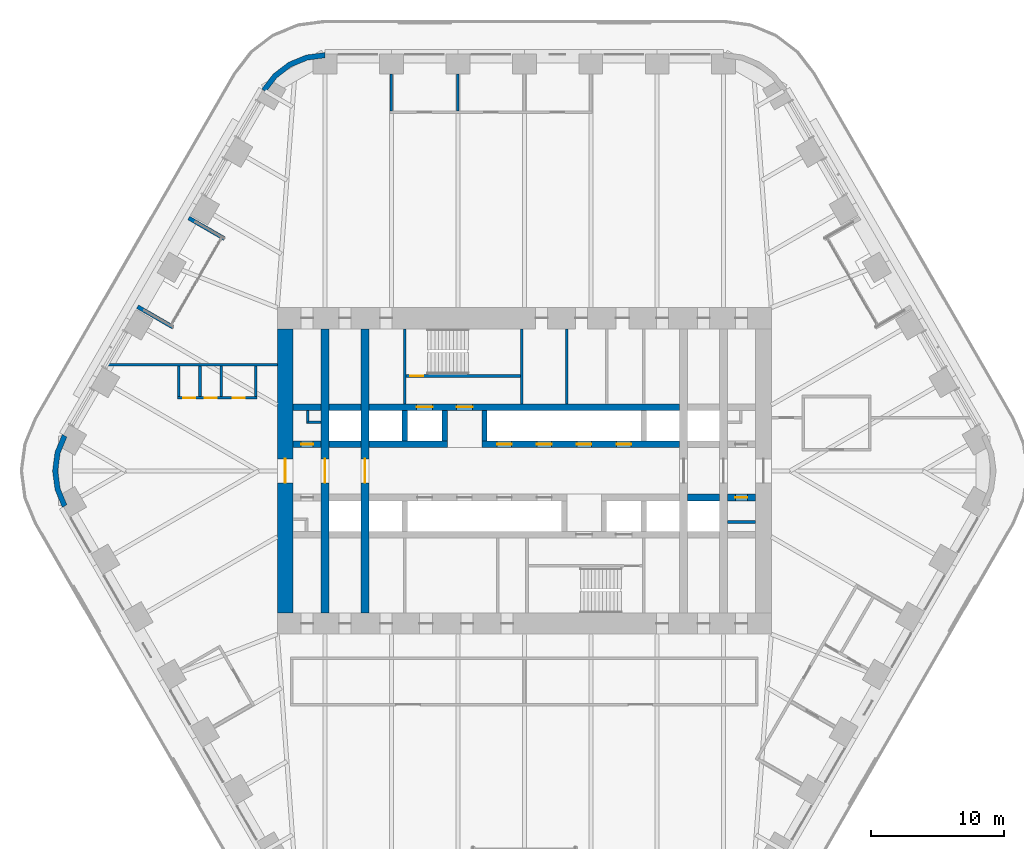
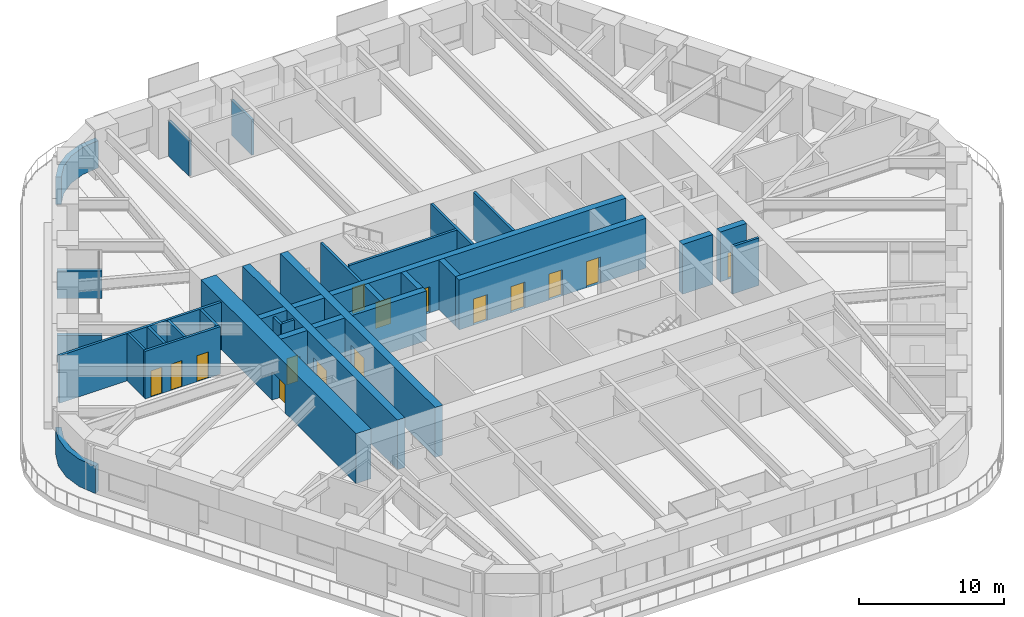
# One storey, part 19 of 24: 34 walls, 15 doors, 15 openings.
"""IFC4 building model written with IfcOpenShell, lengths in metres."""

from ifc_helpers import new_model, si_unit, direction, frame, frame_2d, origin, place, context, subcontext, project, spatial, polyline, rectangle, outline, extrude, material, layer, layer_set, type_object, element, fill, save


model = new_model("IFC4")

# Units and contexts
model_context = context("Model", 3, precision=1e-05, world=origin(), true_north=direction((0.0, 1.0)))
body_context = subcontext(model_context, "Body", "Model", "MODEL_VIEW")
ifc_project = project(units=[si_unit("LENGTHUNIT", "METRE"), si_unit("AREAUNIT", "SQUARE_METRE"), si_unit("VOLUMEUNIT", "CUBIC_METRE"), si_unit("PLANEANGLEUNIT", "RADIAN"), si_unit("MASSUNIT", "GRAM", prefix="KILO")], contexts=[model_context])

# Site, building, storey
site_placement = place(None, origin())
site = spatial("IfcSite", under=ifc_project, at=site_placement, CompositionType="ELEMENT")
building_placement = place(site_placement, origin())
building = spatial("IfcBuilding", under=site, at=building_placement, Name="Tarfa Lantern Tower", CompositionType="ELEMENT")
storey_placement = place(building_placement, frame((0.0, 0.0, 127.89990234375)))
storey = spatial("IfcBuildingStorey", under=building, at=storey_placement, Name="L28", CompositionType="ELEMENT", Elevation=127.89990234375)

# Walls
ifc_material_1 = material(Name="Limestone cladding on blockwork", Category="masonry")
ifc_layer_1 = layer(ifc_material_1, 0.300048828125)
ifc_layer_set_1 = layer_set([ifc_layer_1], Name="EW1 STONE-CLAD WALL 300")
wall_type_1 = type_object("IfcWallType", Name="EW1 STONE-CLAD WALL 300", PredefinedType="SOLIDWALL", material=ifc_layer_set_1)
wall_1_placement = place(storey_placement, frame((-25.266357421875, 19.037353515625, 0.0), z_axis=(0.0, 0.0, 1.0), x_axis=(0.86600983753, -0.500026960575, 0.0)))
element("IfcWall", 1, at=wall_1_placement, inside=storey, type_object=wall_type_1, Name="Loggia return NW 1", PredefinedType="SOLIDWALL", context=body_context, shape_type="SweptSolid", body=[
    extrude(rectangle(XDim=3.099853515625, YDim=0.300048828125, at=frame_2d((1.5498046875, 0.0))), origin(), (0.0, 0.0, 1.0), 2.300048828125),
])
wall_2_placement = place(storey_placement, frame((-29.1201171875, 12.362548828125, 0.0), z_axis=(0.0, 0.0, 1.0), x_axis=(0.86602952684, -0.49999285859, 0.0)))
element("IfcWall", 2, at=wall_2_placement, inside=storey, type_object=wall_type_1, Name="Loggia return NW 2", PredefinedType="SOLIDWALL", context=body_context, shape_type="SweptSolid", body=[
    extrude(rectangle(XDim=3.10009765625, YDim=0.300048828125, at=frame_2d((1.550048828125, 0.0))), origin(), (0.0, 0.0, 1.0), 2.300048828125),
])
ifc_layer_2 = layer(ifc_material_1, 0.39990234375)
ifc_layer_set_2 = layer_set([ifc_layer_2], Name="EW2 CURVED STONE CORNER 400")
wall_type_2 = type_object("IfcWallType", Name="EW2 CURVED STONE CORNER 400", PredefinedType="SOLIDWALL", material=ifc_layer_set_2)
wall_3_placement = place(storey_placement, origin())
element("IfcWall", 3, at=wall_3_placement, inside=storey, type_object=wall_type_2, Name="Stone corner N-NW", PredefinedType="SOLIDWALL", context=body_context, shape_type="SweptSolid", body=[
    extrude(outline(polyline([(-15.010986328125, 31.5), (-16.4345703125, 31.3125), (-17.760986328125, 30.76318359375), (-18.900146484375, 29.88916015625), (-19.774169921875, 28.75), (-19.427734375, 28.550048828125), (-18.617431640625, 29.606201171875), (-17.56103515625, 30.416748046875), (-16.3310546875, 30.92626953125), (-15.010986328125, 31.10009765625), (-15.010986328125, 31.5)])), origin(), (0.0, 0.0, 1.0), 2.300048828125),
])
wall_4_placement = place(storey_placement, origin())
element("IfcWall", 4, at=wall_4_placement, inside=storey, type_object=wall_type_2, Name="Stone corner NW-SW", PredefinedType="SOLIDWALL", context=body_context, shape_type="SweptSolid", body=[
    extrude(outline(polyline([(-34.785400390625, 2.75), (-35.334716796875, 1.423583984375), (-35.522216796875, 0.0), (-35.334716796875, -1.423583984375), (-34.785400390625, -2.75), (-34.43896484375, -2.550048828125), (-34.948486328125, -1.320068359375), (-35.122314453125, 0.0), (-34.948486328125, 1.320068359375), (-34.43896484375, 2.550048828125), (-34.785400390625, 2.75)])), origin(), (0.0, 0.0, 1.0), 2.300048828125),
])
ifc_material_2 = material(Name="Concrete blockwork", Category="masonry")
ifc_layer_3 = layer(ifc_material_2, 0.199951171875)
ifc_layer_set_3 = layer_set([ifc_layer_3], Name="IW1 BLOCKWORK PARTITION 200 EI 120")
wall_type_3 = type_object("IfcWallType", Name="IW1 BLOCKWORK PARTITION 200 EI 120", PredefinedType="PARTITIONING", material=ifc_layer_set_3)
for number, where, z_axis, x_axis, name in (
    (5, (-9.0, 5.050048828125, 0.0), (0.0, 0.0, 1.0), (0.0, 1.0, 0.0), "Core partition"),
    (6, (3.199951171875, 5.050048828125, 0.0), (0.0, 0.0, 1.0), (0.0, 1.0, 0.0), "Core partition"),
):
    element("IfcWall", number, at=place(storey_placement, frame(where, z_axis=z_axis, x_axis=x_axis)), inside=storey, type_object=wall_type_3, Name=name, PredefinedType="PARTITIONING", context=body_context, shape_type="SweptSolid", body=[
        extrude(rectangle(XDim=5.64990234375, YDim=0.199951171875, at=frame_2d((2.824951171875, 0.0))), origin(), (0.0, 0.0, 1.0), 4.0),
    ])
for number, where, z_axis, x_axis, name in (
    (7, (-16.300048828125, 3.64990234375, 0.0), (0.0, 0.0, 1.0), (1.0, 0.0, 0.0), "Core partition"),
    (8, (-16.300048828125, 3.550048828125, 0.0), (0.0, 0.0, 1.0), (0.0, 1.0, 0.0), "Core partition"),
):
    element("IfcWall", number, at=place(storey_placement, frame(where, z_axis=z_axis, x_axis=x_axis)), inside=storey, type_object=wall_type_3, Name=name, PredefinedType="PARTITIONING", context=body_context, shape_type="SweptSolid", body=[
        extrude(rectangle(XDim=1.0, YDim=0.199951171875, at=frame_2d((0.5, 0.0))), origin(), (0.0, 0.0, 1.0), 4.0),
    ])
wall_5_placement = place(storey_placement, frame((17.39990234375, -3.85009765625, 0.0), z_axis=(0.0, 0.0, 1.0), x_axis=(-1.0, 0.0, 0.0)))
element("IfcWall", 9, at=wall_5_placement, inside=storey, type_object=wall_type_3, Name="Core partition", PredefinedType="PARTITIONING", context=body_context, shape_type="SweptSolid", body=[
    extrude(rectangle(XDim=2.099853515625, YDim=0.199951171875, at=frame_2d((1.0498046875, 0.0))), origin(), (0.0, 0.0, 1.0), 4.0),
])
ifc_material_3 = material(Name="Gypsum board on steel studs", Category="steel")
ifc_layer_4 = layer(ifc_material_3, 0.2099609375)
ifc_layer_set_4 = layer_set([ifc_layer_4], Name="IW2 ACOUSTIC PARTITION 200")
wall_type_4 = type_object("IfcWallType", Name="IW2 ACOUSTIC PARTITION 200", PredefinedType="PARTITIONING", material=ifc_layer_set_4)
for number, where, z_axis, x_axis, name in (
    (10, (-5.003662109375, 27.10009765625, 0.0), (0.0, 0.0, 1.0), (0.0, 1.0, 0.0), "Partition"),
    (11, (-10.00732421875, 27.10009765625, 0.0), (0.0, 0.0, 1.0), (0.0, 1.0, 0.0), "Partition"),
):
    element("IfcWall", number, at=place(storey_placement, frame(where, z_axis=z_axis, x_axis=x_axis)), inside=storey, type_object=wall_type_4, Name=name, PredefinedType="PARTITIONING", context=body_context, shape_type="SweptSolid", body=[
        extrude(rectangle(XDim=2.7998046875, YDim=0.199951171875, at=frame_2d((1.39990234375, 0.0))), origin(), (0.0, 0.0, 1.0), 2.991943359375),
    ])
wall_6_placement = place(storey_placement, frame((-18.60009765625, 8.0, 0.0), z_axis=(0.0, 0.0, 1.0), x_axis=(-1.0, 0.0, 0.0)))
element("IfcWall", 12, at=wall_6_placement, inside=storey, type_object=wall_type_4, Name="Partition", PredefinedType="PARTITIONING", context=body_context, shape_type="SweptSolid", body=[
    extrude(rectangle(XDim=12.89990234375, YDim=0.199951171875, at=frame_2d((6.449951171875, 0.0))), origin(), (0.0, 0.0, 1.0), 4.0),
])

# Wall, openings, doors
wall_7_placement = place(storey_placement, frame((-20.114990234375, 5.5, 0.0), z_axis=(0.0, 0.0, 1.0), x_axis=(-1.0, 0.0, 0.0)))
wall_7 = element("IfcWall", 13, at=wall_7_placement, inside=storey, type_object=wall_type_4, Name="Partition", PredefinedType="PARTITIONING", context=body_context, shape_type="SweptSolid", body=[
    extrude(rectangle(XDim=6.0, YDim=0.199951171875, at=frame_2d((3.0, 0.0))), origin(), (0.0, 0.0, 1.0), 4.0),
])
opening_1_placement = place(wall_7_placement, frame((0.949951171875, 0.0, 0.0)))
opening_1 = element("IfcOpeningElement", 14, at=opening_1_placement, cuts=wall_7, Name="Opening D44", PredefinedType="OPENING", context=body_context, shape_type="SweptSolid", body=[
    extrude(rectangle(XDim=0.89990234375, YDim=2.199951171875, at=frame_2d((0.449951171875, 1.10009765625))), frame((0.0, 0.10986328125, 0.0), z_axis=(0.0, -1.0, 0.0), x_axis=(1.0, 0.0, 0.0)), (0.0, 0.0, 1.0), 0.219970703125),
])
opening_2_placement = place(wall_7_placement, frame((3.050048828125, 0.0, 0.0)))
opening_2 = element("IfcOpeningElement", 15, at=opening_2_placement, cuts=wall_7, Name="Opening D45", PredefinedType="OPENING", context=body_context, shape_type="SweptSolid", body=[
    extrude(rectangle(XDim=0.89990234375, YDim=2.199951171875, at=frame_2d((0.449951171875, 1.10009765625))), frame((0.0, 0.10986328125, 0.0), z_axis=(0.0, -1.0, 0.0), x_axis=(1.0, 0.0, 0.0)), (0.0, 0.0, 1.0), 0.219970703125),
])
opening_3_placement = place(wall_7_placement, frame((4.64990234375, 0.0, 0.0)))
opening_3 = element("IfcOpeningElement", 16, at=opening_3_placement, cuts=wall_7, Name="Opening D46", PredefinedType="OPENING", context=body_context, shape_type="SweptSolid", body=[
    extrude(rectangle(XDim=0.89990234375, YDim=2.199951171875, at=frame_2d((0.449951171875, 1.10009765625))), frame((0.0, 0.10986328125, 0.0), z_axis=(0.0, -1.0, 0.0), x_axis=(1.0, 0.0, 0.0)), (0.0, 0.0, 1.0), 0.219970703125),
])
ifc_material_4 = material(Name="Timber door", Category="wood")
door_type_1 = type_object("IfcDoorType", Name="DR3 ROOM DOOR 900x2200", OperationType="SINGLE_SWING_LEFT", PredefinedType="DOOR", material=ifc_material_4)
door_1_placement = place(opening_1_placement, frame((0.89990234375, 0.0, 0.0), z_axis=(0.0, 0.0, 1.0), x_axis=(-1.0, 0.0, 0.0)))
door_1 = element("IfcDoor", 17, at=door_1_placement, inside=storey, type_object=door_type_1, Name="Print and copy room door", OperationType="SINGLE_SWING_LEFT", OverallHeight=2.199951171875, OverallWidth=0.89990234375, PredefinedType="DOOR", context=body_context, shape_type="SweptSolid", body=[
    extrude(rectangle(XDim=0.89990234375, YDim=2.199951171875, at=frame_2d((0.449951171875, 1.10009765625))), frame((0.0, 0.02490234375, 0.0), z_axis=(0.0, -1.0, 0.0), x_axis=(1.0, 0.0, 0.0)), (0.0, 0.0, 1.0), 0.050048828125),
])
fill(opening_1, door_1)
door_2_placement = place(opening_2_placement, frame((0.89990234375, 0.0, 0.0), z_axis=(0.0, 0.0, 1.0), x_axis=(-1.0, 0.0, 0.0)))
door_2 = element("IfcDoor", 18, at=door_2_placement, inside=storey, type_object=door_type_1, Name="Phone booth door", OperationType="SINGLE_SWING_RIGHT", OverallHeight=2.199951171875, OverallWidth=0.89990234375, PredefinedType="DOOR", context=body_context, shape_type="SweptSolid", body=[
    extrude(rectangle(XDim=0.89990234375, YDim=2.199951171875, at=frame_2d((0.449951171875, 1.10009765625))), frame((0.0, 0.02490234375, 0.0), z_axis=(0.0, -1.0, 0.0), x_axis=(1.0, 0.0, 0.0)), (0.0, 0.0, 1.0), 0.050048828125),
])
fill(opening_2, door_2)
door_3_placement = place(opening_3_placement, frame((0.89990234375, 0.0, 0.0), z_axis=(0.0, 0.0, 1.0), x_axis=(-1.0, 0.0, 0.0)))
door_3 = element("IfcDoor", 19, at=door_3_placement, inside=storey, type_object=door_type_1, Name="Phone booth door", OperationType="SINGLE_SWING_RIGHT", OverallHeight=2.199951171875, OverallWidth=0.89990234375, PredefinedType="DOOR", context=body_context, shape_type="SweptSolid", body=[
    extrude(rectangle(XDim=0.89990234375, YDim=2.199951171875, at=frame_2d((0.449951171875, 1.10009765625))), frame((0.0, 0.02490234375, 0.0), z_axis=(0.0, -1.0, 0.0), x_axis=(1.0, 0.0, 0.0)), (0.0, 0.0, 1.0), 0.050048828125),
])
fill(opening_3, door_3)

# Walls
for number, where, z_axis, x_axis, name in (
    (20, (-20.215087890625, 7.89990234375, 0.0), (0.0, 0.0, 1.0), (0.0, -1.0, 0.0), "Partition"),
    (21, (-22.81494140625, 7.89990234375, 0.0), (0.0, 0.0, 1.0), (0.0, -1.0, 0.0), "Partition"),
    (22, (-24.4150390625, 7.89990234375, 0.0), (0.0, 0.0, 1.0), (0.0, -1.0, 0.0), "Partition"),
    (23, (-26.01513671875, 7.89990234375, 0.0), (0.0, 0.0, 1.0), (0.0, -1.0, 0.0), "Partition"),
):
    element("IfcWall", number, at=place(storey_placement, frame(where, z_axis=z_axis, x_axis=x_axis)), inside=storey, type_object=wall_type_4, Name=name, PredefinedType="PARTITIONING", context=body_context, shape_type="SweptSolid", body=[
        extrude(rectangle(XDim=2.2998046875, YDim=0.199951171875, at=frame_2d((1.14990234375, 0.0))), origin(), (0.0, 0.0, 1.0), 4.0),
    ])

# Wall, opening, door
ifc_material_5 = material(Name="Concrete C80/95", Category="concrete")
ifc_layer_5 = layer(ifc_material_5, 1.199951171875)
ifc_layer_set_5 = layer_set([ifc_layer_5], Name="SW1 CORE WALL 1200")
wall_type_5 = type_object("IfcWallType", Name="SW1 CORE WALL 1200", PredefinedType="SHEAR", material=ifc_layer_set_5)
wall_8_placement = place(storey_placement, frame((-18.0, 10.699951171875, 0.0), z_axis=(0.0, 0.0, 1.0), x_axis=(0.0, -1.0, 0.0)))
wall_8 = element("IfcWall", 24, at=wall_8_placement, inside=storey, type_object=wall_type_5, Name="Core wall W", PredefinedType="SHEAR", context=body_context, shape_type="SweptSolid", body=[
    extrude(rectangle(XDim=21.39990234375, YDim=1.199951171875, at=frame_2d((10.699951171875, 0.0))), origin(), (0.0, 0.0, 1.0), 4.2001953125),
])
opening_4_placement = place(wall_8_placement, frame((9.800048828125, 0.0, 0.0)))
opening_4 = element("IfcOpeningElement", 25, at=opening_4_placement, cuts=wall_8, Name="Opening D16", PredefinedType="OPENING", context=body_context, shape_type="SweptSolid", body=[
    extrude(rectangle(XDim=1.800048828125, YDim=2.39990234375, at=frame_2d((0.89990234375, 1.199951171875))), frame((0.0, 0.60986328125, 0.0), z_axis=(0.0, -1.0, 0.0), x_axis=(1.0, 0.0, 0.0)), (0.0, 0.0, 1.0), 1.219970703125),
])
ifc_material_6 = material(Name="Steel fire door", Category="steel")
door_type_2 = type_object("IfcDoorType", Name="DL1 LOBBY DOOR 1800x2400", OperationType="DOUBLE_DOOR_SINGLE_SWING", PredefinedType="DOOR", material=ifc_material_6)
door_4_placement = place(opening_4_placement, frame((1.800048828125, 0.0, 0.0), z_axis=(0.0, 0.0, 1.0), x_axis=(-1.0, 0.0, 0.0)))
door_4 = element("IfcDoor", 26, at=door_4_placement, inside=storey, type_object=door_type_2, Name="Lift lobby door", OperationType="DOUBLE_DOOR_SINGLE_SWING", OverallHeight=2.39990234375, OverallWidth=1.800048828125, PredefinedType="DOOR", context=body_context, shape_type="SweptSolid", body=[
    extrude(rectangle(XDim=1.800048828125, YDim=2.39990234375, at=frame_2d((0.89990234375, 1.199951171875))), frame((0.0, 0.02490234375, 0.0), z_axis=(0.0, -1.0, 0.0), x_axis=(1.0, 0.0, 0.0)), (0.0, 0.0, 1.0), 0.050048828125),
])
fill(opening_4, door_4)

# Wall
ifc_layer_6 = layer(ifc_material_5, 0.199951171875)
ifc_layer_set_6 = layer_set([ifc_layer_6], Name="SW12 CORE WALL 200")
wall_type_6 = type_object("IfcWallType", Name="SW12 CORE WALL 200", PredefinedType="SHEAR", material=ifc_layer_set_6)
wall_9_placement = place(storey_placement, frame((-0.199951171875, 5.050048828125, 0.0), z_axis=(0.0, 0.0, 1.0), x_axis=(0.0, 1.0, 0.0)))
element("IfcWall", 27, at=wall_9_placement, inside=storey, type_object=wall_type_6, Name="Core wall stair shaft N", PredefinedType="SHEAR", context=body_context, shape_type="SweptSolid", body=[
    extrude(rectangle(XDim=5.64990234375, YDim=0.199951171875, at=frame_2d((2.824951171875, 0.0))), origin(), (0.0, 0.0, 1.0), 4.2001953125),
])

# Wall, opening, door
wall_10_placement = place(storey_placement, frame((-8.89990234375, 7.14990234375, 0.0), z_axis=(0.0, 0.0, 1.0), x_axis=(1.0, 0.0, 0.0)))
wall_10 = element("IfcWall", 28, at=wall_10_placement, inside=storey, type_object=wall_type_6, Name="Core wall stair partition N", PredefinedType="SHEAR", context=body_context, shape_type="SweptSolid", body=[
    extrude(rectangle(XDim=8.599853515625, YDim=0.199951171875, at=frame_2d((4.2998046875, 0.0))), origin(), (0.0, 0.0, 1.0), 4.2001953125),
])
opening_5_placement = place(wall_10_placement, frame((0.300048828125, 0.0, 0.0)))
opening_5 = element("IfcOpeningElement", 29, at=opening_5_placement, cuts=wall_10, Name="Opening D27", PredefinedType="OPENING", context=body_context, shape_type="SweptSolid", body=[
    extrude(rectangle(XDim=1.0, YDim=2.199951171875, at=frame_2d((0.5, 1.10009765625))), frame((0.0, 0.10986328125, 0.0), z_axis=(0.0, -1.0, 0.0), x_axis=(1.0, 0.0, 0.0)), (0.0, 0.0, 1.0), 0.219970703125),
])
door_type_3 = type_object("IfcDoorType", Name="DF2 STAIR DOOR 1000x2200", OperationType="SINGLE_SWING_LEFT", PredefinedType="DOOR", material=ifc_material_6)
door_5_placement = place(opening_5_placement, origin())
door_5 = element("IfcDoor", 30, at=door_5_placement, inside=storey, type_object=door_type_3, Name="Stair door", OperationType="SINGLE_SWING_RIGHT", OverallHeight=2.199951171875, OverallWidth=1.0, PredefinedType="DOOR", context=body_context, shape_type="SweptSolid", body=[
    extrude(rectangle(XDim=1.0, YDim=2.199951171875, at=frame_2d((0.5, 1.10009765625))), frame((0.0, 0.02490234375, 0.0), z_axis=(0.0, -1.0, 0.0), x_axis=(1.0, 0.0, 0.0)), (0.0, 0.0, 1.0), 0.050048828125),
])
fill(opening_5, door_5)

ifc_layer_7 = layer(ifc_material_5, 0.5)
ifc_layer_set_7 = layer_set([ifc_layer_7], Name="SW5 CORE WALL 500")
wall_type_7 = type_object("IfcWallType", Name="SW5 CORE WALL 500", PredefinedType="SHEAR", material=ifc_layer_set_7)
wall_11_placement = place(storey_placement, frame((-17.39990234375, 2.0, 0.0), z_axis=(0.0, 0.0, 1.0), x_axis=(1.0, 0.0, 0.0)))
wall_11 = element("IfcWall", 31, at=wall_11_placement, inside=storey, type_object=wall_type_7, Name="Core wall lobby west N", PredefinedType="SHEAR", context=body_context, shape_type="SweptSolid", body=[
    extrude(rectangle(XDim=2.099853515625, YDim=0.5, at=frame_2d((1.0498046875, 0.0))), origin(), (0.0, 0.0, 1.0), 4.2001953125),
])
opening_6_placement = place(wall_11_placement, frame((0.60009765625, 0.0, 0.0)))
opening_6 = element("IfcOpeningElement", 32, at=opening_6_placement, cuts=wall_11, Name="Opening D19", PredefinedType="OPENING", context=body_context, shape_type="SweptSolid", body=[
    extrude(rectangle(XDim=0.89990234375, YDim=2.199951171875, at=frame_2d((0.449951171875, 1.10009765625))), frame((0.0, 0.260009765625, 0.0), z_axis=(0.0, -1.0, 0.0), x_axis=(1.0, 0.0, 0.0)), (0.0, 0.0, 1.0), 0.52001953125),
])
door_type_4 = type_object("IfcDoorType", Name="DF6 SERVICE ROOM DOOR 900x2200", OperationType="SINGLE_SWING_LEFT", PredefinedType="DOOR", material=ifc_material_6)
door_6_placement = place(opening_6_placement, origin())
door_6 = element("IfcDoor", 33, at=door_6_placement, inside=storey, type_object=door_type_4, Name="Service room door", OperationType="SINGLE_SWING_LEFT", OverallHeight=2.199951171875, OverallWidth=0.89990234375, PredefinedType="DOOR", context=body_context, shape_type="SweptSolid", body=[
    extrude(rectangle(XDim=0.89990234375, YDim=2.199951171875, at=frame_2d((0.449951171875, 1.10009765625))), frame((0.0, 0.02490234375, 0.0), z_axis=(0.0, -1.0, 0.0), x_axis=(1.0, 0.0, 0.0)), (0.0, 0.0, 1.0), 0.050048828125),
])
fill(opening_6, door_6)

# Walls
wall_12_placement = place(storey_placement, frame((-14.699951171875, 2.0, 0.0), z_axis=(0.0, 0.0, 1.0), x_axis=(1.0, 0.0, 0.0)))
element("IfcWall", 34, at=wall_12_placement, inside=storey, type_object=wall_type_7, Name="Core wall lobby west N", PredefinedType="SHEAR", context=body_context, shape_type="SweptSolid", body=[
    extrude(rectangle(XDim=2.39990234375, YDim=0.5, at=frame_2d((1.199951171875, 0.0))), origin(), (0.0, 0.0, 1.0), 4.2001953125),
])
wall_13_placement = place(storey_placement, frame((-11.699951171875, 2.0, 0.0), z_axis=(0.0, 0.0, 1.0), x_axis=(1.0, 0.0, 0.0)))
element("IfcWall", 35, at=wall_13_placement, inside=storey, type_object=wall_type_7, Name="Core wall lobby west N", PredefinedType="SHEAR", context=body_context, shape_type="SweptSolid", body=[
    extrude(rectangle(XDim=5.89990234375, YDim=0.5, at=frame_2d((2.949951171875, 0.0))), origin(), (0.0, 0.0, 1.0), 4.2001953125),
])

# Wall, openings, doors
wall_14_placement = place(storey_placement, frame((-3.199951171875, 2.0, 0.0), z_axis=(0.0, 0.0, 1.0), x_axis=(1.0, 0.0, 0.0)))
wall_14 = element("IfcWall", 36, at=wall_14_placement, inside=storey, type_object=wall_type_7, Name="Core wall lobby east N", PredefinedType="SHEAR", context=body_context, shape_type="SweptSolid", body=[
    extrude(rectangle(XDim=14.89990234375, YDim=0.5, at=frame_2d((7.449951171875, 0.0))), origin(), (0.0, 0.0, 1.0), 4.2001953125),
])
opening_7_placement = place(wall_14_placement, frame((1.14990234375, 0.0, 0.0)))
opening_7 = element("IfcOpeningElement", 37, at=opening_7_placement, cuts=wall_14, Name="Opening LD03", PredefinedType="OPENING", context=body_context, shape_type="SweptSolid", body=[
    extrude(rectangle(XDim=1.10009765625, YDim=2.199951171875, at=frame_2d((0.550048828125, 1.10009765625))), frame((0.0, 0.260009765625, 0.0), z_axis=(0.0, -1.0, 0.0), x_axis=(1.0, 0.0, 0.0)), (0.0, 0.0, 1.0), 0.52001953125),
])
opening_8_placement = place(wall_14_placement, frame((4.14990234375, 0.0, 0.0)))
opening_8 = element("IfcOpeningElement", 38, at=opening_8_placement, cuts=wall_14, Name="Opening LD04", PredefinedType="OPENING", context=body_context, shape_type="SweptSolid", body=[
    extrude(rectangle(XDim=1.10009765625, YDim=2.199951171875, at=frame_2d((0.550048828125, 1.10009765625))), frame((0.0, 0.260009765625, 0.0), z_axis=(0.0, -1.0, 0.0), x_axis=(1.0, 0.0, 0.0)), (0.0, 0.0, 1.0), 0.52001953125),
])
opening_9_placement = place(wall_14_placement, frame((7.14990234375, 0.0, 0.0)))
opening_9 = element("IfcOpeningElement", 39, at=opening_9_placement, cuts=wall_14, Name="Opening LD05", PredefinedType="OPENING", context=body_context, shape_type="SweptSolid", body=[
    extrude(rectangle(XDim=1.10009765625, YDim=2.199951171875, at=frame_2d((0.550048828125, 1.10009765625))), frame((0.0, 0.260009765625, 0.0), z_axis=(0.0, -1.0, 0.0), x_axis=(1.0, 0.0, 0.0)), (0.0, 0.0, 1.0), 0.52001953125),
])
opening_10_placement = place(wall_14_placement, frame((10.14990234375, 0.0, 0.0)))
opening_10 = element("IfcOpeningElement", 40, at=opening_10_placement, cuts=wall_14, Name="Opening LD06", PredefinedType="OPENING", context=body_context, shape_type="SweptSolid", body=[
    extrude(rectangle(XDim=1.10009765625, YDim=2.199951171875, at=frame_2d((0.550048828125, 1.10009765625))), frame((0.0, 0.260009765625, 0.0), z_axis=(0.0, -1.0, 0.0), x_axis=(1.0, 0.0, 0.0)), (0.0, 0.0, 1.0), 0.52001953125),
])
ifc_material_7 = material(Name="Stainless steel lift door", Category="steel")
door_type_5 = type_object("IfcDoorType", Name="LD2 LIFT LANDING DOOR 1100x2200", OperationType="SLIDING_TO_LEFT", PredefinedType="DOOR", material=ifc_material_7)
door_7_placement = place(opening_7_placement, frame((1.10009765625, 0.0, 0.0), z_axis=(0.0, 0.0, 1.0), x_axis=(-1.0, 0.0, 0.0)))
door_7 = element("IfcDoor", 41, at=door_7_placement, inside=storey, type_object=door_type_5, Name="Landing door PB1", OperationType="SLIDING_TO_LEFT", OverallHeight=2.199951171875, OverallWidth=1.10009765625, PredefinedType="DOOR", context=body_context, shape_type="SweptSolid", body=[
    extrude(rectangle(XDim=1.10009765625, YDim=2.199951171875, at=frame_2d((0.550048828125, 1.10009765625))), frame((0.0, 0.02490234375, 0.0), z_axis=(0.0, -1.0, 0.0), x_axis=(1.0, 0.0, 0.0)), (0.0, 0.0, 1.0), 0.050048828125),
])
fill(opening_7, door_7)
door_8_placement = place(opening_8_placement, frame((1.10009765625, 0.0, 0.0), z_axis=(0.0, 0.0, 1.0), x_axis=(-1.0, 0.0, 0.0)))
door_8 = element("IfcDoor", 42, at=door_8_placement, inside=storey, type_object=door_type_5, Name="Landing door PB2", OperationType="SLIDING_TO_LEFT", OverallHeight=2.199951171875, OverallWidth=1.10009765625, PredefinedType="DOOR", context=body_context, shape_type="SweptSolid", body=[
    extrude(rectangle(XDim=1.10009765625, YDim=2.199951171875, at=frame_2d((0.550048828125, 1.10009765625))), frame((0.0, 0.02490234375, 0.0), z_axis=(0.0, -1.0, 0.0), x_axis=(1.0, 0.0, 0.0)), (0.0, 0.0, 1.0), 0.050048828125),
])
fill(opening_8, door_8)
door_9_placement = place(opening_9_placement, frame((1.10009765625, 0.0, 0.0), z_axis=(0.0, 0.0, 1.0), x_axis=(-1.0, 0.0, 0.0)))
door_9 = element("IfcDoor", 43, at=door_9_placement, inside=storey, type_object=door_type_5, Name="Landing door PB3", OperationType="SLIDING_TO_LEFT", OverallHeight=2.199951171875, OverallWidth=1.10009765625, PredefinedType="DOOR", context=body_context, shape_type="SweptSolid", body=[
    extrude(rectangle(XDim=1.10009765625, YDim=2.199951171875, at=frame_2d((0.550048828125, 1.10009765625))), frame((0.0, 0.02490234375, 0.0), z_axis=(0.0, -1.0, 0.0), x_axis=(1.0, 0.0, 0.0)), (0.0, 0.0, 1.0), 0.050048828125),
])
fill(opening_9, door_9)
door_10_placement = place(opening_10_placement, frame((1.10009765625, 0.0, 0.0), z_axis=(0.0, 0.0, 1.0), x_axis=(-1.0, 0.0, 0.0)))
door_10 = element("IfcDoor", 44, at=door_10_placement, inside=storey, type_object=door_type_5, Name="Landing door PB4", OperationType="SLIDING_TO_LEFT", OverallHeight=2.199951171875, OverallWidth=1.10009765625, PredefinedType="DOOR", context=body_context, shape_type="SweptSolid", body=[
    extrude(rectangle(XDim=1.10009765625, YDim=2.199951171875, at=frame_2d((0.550048828125, 1.10009765625))), frame((0.0, 0.02490234375, 0.0), z_axis=(0.0, -1.0, 0.0), x_axis=(1.0, 0.0, 0.0)), (0.0, 0.0, 1.0), 0.050048828125),
])
fill(opening_10, door_10)

# Walls
wall_15_placement = place(storey_placement, frame((-17.39990234375, 4.800048828125, 0.0), z_axis=(0.0, 0.0, 1.0), x_axis=(1.0, 0.0, 0.0)))
element("IfcWall", 45, at=wall_15_placement, inside=storey, type_object=wall_type_7, Name="Core wall rear N", PredefinedType="SHEAR", context=body_context, shape_type="SweptSolid", body=[
    extrude(rectangle(XDim=2.099853515625, YDim=0.5, at=frame_2d((1.0498046875, 0.0))), origin(), (0.0, 0.0, 1.0), 4.2001953125),
])
wall_16_placement = place(storey_placement, frame((-14.699951171875, 4.800048828125, 0.0), z_axis=(0.0, 0.0, 1.0), x_axis=(1.0, 0.0, 0.0)))
element("IfcWall", 46, at=wall_16_placement, inside=storey, type_object=wall_type_7, Name="Core wall rear N", PredefinedType="SHEAR", context=body_context, shape_type="SweptSolid", body=[
    extrude(rectangle(XDim=2.39990234375, YDim=0.5, at=frame_2d((1.199951171875, 0.0))), origin(), (0.0, 0.0, 1.0), 4.2001953125),
])

# Wall, openings, doors
wall_17_placement = place(storey_placement, frame((-11.699951171875, 4.800048828125, 0.0), z_axis=(0.0, 0.0, 1.0), x_axis=(1.0, 0.0, 0.0)))
wall_17 = element("IfcWall", 47, at=wall_17_placement, inside=storey, type_object=wall_type_7, Name="Core wall rear N", PredefinedType="SHEAR", context=body_context, shape_type="SweptSolid", body=[
    extrude(rectangle(XDim=23.39990234375, YDim=0.5, at=frame_2d((11.699951171875, 0.0))), origin(), (0.0, 0.0, 1.0), 4.2001953125),
])
opening_11_placement = place(wall_17_placement, frame((6.60009765625, 0.0, 0.0)))
opening_11 = element("IfcOpeningElement", 48, at=opening_11_placement, cuts=wall_17, Name="Opening D13", PredefinedType="OPENING", context=body_context, shape_type="SweptSolid", body=[
    extrude(rectangle(XDim=1.199951171875, YDim=2.199951171875, at=frame_2d((0.60009765625, 1.10009765625))), frame((0.0, 0.260009765625, 0.0), z_axis=(0.0, -1.0, 0.0), x_axis=(1.0, 0.0, 0.0)), (0.0, 0.0, 1.0), 0.52001953125),
])
opening_12_placement = place(wall_17_placement, frame((3.60009765625, 0.0, 0.0)))
opening_12 = element("IfcOpeningElement", 49, at=opening_12_placement, cuts=wall_17, Name="Opening LD01", PredefinedType="OPENING", context=body_context, shape_type="SweptSolid", body=[
    extrude(rectangle(XDim=1.199951171875, YDim=2.199951171875, at=frame_2d((0.60009765625, 1.10009765625))), frame((0.0, 0.260009765625, 0.0), z_axis=(0.0, -1.0, 0.0), x_axis=(1.0, 0.0, 0.0)), (0.0, 0.0, 1.0), 0.52001953125),
])
door_type_6 = type_object("IfcDoorType", Name="DF1 FIREFIGHTING LOBBY DOOR 1200x2200", OperationType="SINGLE_SWING_LEFT", PredefinedType="DOOR", material=ifc_material_6)
door_11_placement = place(opening_11_placement, origin())
door_11 = element("IfcDoor", 50, at=door_11_placement, inside=storey, type_object=door_type_6, Name="Firefighting lobby door", OperationType="SINGLE_SWING_LEFT", OverallHeight=2.199951171875, OverallWidth=1.199951171875, PredefinedType="DOOR", context=body_context, shape_type="SweptSolid", body=[
    extrude(rectangle(XDim=1.199951171875, YDim=2.199951171875, at=frame_2d((0.60009765625, 1.10009765625))), frame((0.0, 0.02490234375, 0.0), z_axis=(0.0, -1.0, 0.0), x_axis=(1.0, 0.0, 0.0)), (0.0, 0.0, 1.0), 0.050048828125),
])
fill(opening_11, door_11)
door_type_7 = type_object("IfcDoorType", Name="LD1 LIFT LANDING DOOR 1200x2200", OperationType="SLIDING_TO_LEFT", PredefinedType="DOOR", material=ifc_material_7)
door_12_placement = place(opening_12_placement, origin())
door_12 = element("IfcDoor", 51, at=door_12_placement, inside=storey, type_object=door_type_7, Name="Landing door FL1", OperationType="SLIDING_TO_LEFT", OverallHeight=2.199951171875, OverallWidth=1.199951171875, PredefinedType="DOOR", context=body_context, shape_type="SweptSolid", body=[
    extrude(rectangle(XDim=1.199951171875, YDim=2.199951171875, at=frame_2d((0.60009765625, 1.10009765625))), frame((0.0, 0.02490234375, 0.0), z_axis=(0.0, -1.0, 0.0), x_axis=(1.0, 0.0, 0.0)), (0.0, 0.0, 1.0), 0.050048828125),
])
fill(opening_12, door_12)

# Wall, opening, door
wall_18_placement = place(storey_placement, frame((17.39990234375, -2.0, 0.0), z_axis=(0.0, 0.0, 1.0), x_axis=(-1.0, 0.0, 0.0)))
wall_18 = element("IfcWall", 52, at=wall_18_placement, inside=storey, type_object=wall_type_7, Name="Core wall lobby west S", PredefinedType="SHEAR", context=body_context, shape_type="SweptSolid", body=[
    extrude(rectangle(XDim=2.099853515625, YDim=0.5, at=frame_2d((1.0498046875, 0.0))), origin(), (0.0, 0.0, 1.0), 4.2001953125),
])
opening_13_placement = place(wall_18_placement, frame((0.60009765625, 0.0, 0.0)))
opening_13 = element("IfcOpeningElement", 53, at=opening_13_placement, cuts=wall_18, Name="Opening D20", PredefinedType="OPENING", context=body_context, shape_type="SweptSolid", body=[
    extrude(rectangle(XDim=0.89990234375, YDim=2.199951171875, at=frame_2d((0.449951171875, 1.10009765625))), frame((0.0, 0.260009765625, 0.0), z_axis=(0.0, -1.0, 0.0), x_axis=(1.0, 0.0, 0.0)), (0.0, 0.0, 1.0), 0.52001953125),
])
door_13_placement = place(opening_13_placement, origin())
door_13 = element("IfcDoor", 54, at=door_13_placement, inside=storey, type_object=door_type_4, Name="Service room door", OperationType="SINGLE_SWING_LEFT", OverallHeight=2.199951171875, OverallWidth=0.89990234375, PredefinedType="DOOR", context=body_context, shape_type="SweptSolid", body=[
    extrude(rectangle(XDim=0.89990234375, YDim=2.199951171875, at=frame_2d((0.449951171875, 1.10009765625))), frame((0.0, 0.02490234375, 0.0), z_axis=(0.0, -1.0, 0.0), x_axis=(1.0, 0.0, 0.0)), (0.0, 0.0, 1.0), 0.050048828125),
])
fill(opening_13, door_13)

# Walls
wall_19_placement = place(storey_placement, frame((14.699951171875, -2.0, 0.0), z_axis=(0.0, 0.0, 1.0), x_axis=(-1.0, 0.0, 0.0)))
element("IfcWall", 55, at=wall_19_placement, inside=storey, type_object=wall_type_7, Name="Core wall lobby west S", PredefinedType="SHEAR", context=body_context, shape_type="SweptSolid", body=[
    extrude(rectangle(XDim=2.39990234375, YDim=0.5, at=frame_2d((1.199951171875, 0.0))), origin(), (0.0, 0.0, 1.0), 4.2001953125),
])
ifc_layer_8 = layer(ifc_material_5, 0.39990234375)
ifc_layer_set_8 = layer_set([ifc_layer_8], Name="SW6 CORE WALL 400")
wall_type_8 = type_object("IfcWallType", Name="SW6 CORE WALL 400", PredefinedType="SHEAR", material=ifc_layer_set_8)
for number, where, z_axis, x_axis, name in (
    (56, (-9.0, 2.25, 0.0), (0.0, 0.0, 1.0), (0.0, 1.0, 0.0), "Core wall divider N"),
    (57, (-6.0, 2.25, 0.0), (0.0, 0.0, 1.0), (0.0, 1.0, 0.0), "Core wall divider N"),
    (58, (-3.0, 2.25, 0.0), (0.0, 0.0, 1.0), (0.0, 1.0, 0.0), "Core wall divider N"),
):
    element("IfcWall", number, at=place(storey_placement, frame(where, z_axis=z_axis, x_axis=x_axis)), inside=storey, type_object=wall_type_8, Name=name, PredefinedType="SHEAR", context=body_context, shape_type="SweptSolid", body=[
        extrude(rectangle(XDim=2.300048828125, YDim=0.39990234375, at=frame_2d((1.14990234375, 0.0))), origin(), (0.0, 0.0, 1.0), 4.2001953125),
    ])

# Wall, opening, door
ifc_layer_9 = layer(ifc_material_5, 0.60009765625)
ifc_layer_set_9 = layer_set([ifc_layer_9], Name="SW9 CORE WALL 600")
wall_type_9 = type_object("IfcWallType", Name="SW9 CORE WALL 600", PredefinedType="SHEAR", material=ifc_layer_set_9)
wall_20_placement = place(storey_placement, frame((-12.0, -10.699951171875, 0.0), z_axis=(0.0, 0.0, 1.0), x_axis=(0.0, 1.0, 0.0)))
wall_20 = element("IfcWall", 59, at=wall_20_placement, inside=storey, type_object=wall_type_9, Name="Core wall cross 12 m west", PredefinedType="SHEAR", context=body_context, shape_type="SweptSolid", body=[
    extrude(rectangle(XDim=21.39990234375, YDim=0.60009765625, at=frame_2d((10.699951171875, 0.0))), origin(), (0.0, 0.0, 1.0), 4.2001953125),
])
opening_14_placement = place(wall_20_placement, frame((9.800048828125, 0.0, 0.0)))
opening_14 = element("IfcOpeningElement", 60, at=opening_14_placement, cuts=wall_20, Name="Opening D31", PredefinedType="OPENING", context=body_context, shape_type="SweptSolid", body=[
    extrude(rectangle(XDim=1.800048828125, YDim=2.39990234375, at=frame_2d((0.89990234375, 1.199951171875))), frame((0.0, 0.31005859375, 0.0), z_axis=(0.0, -1.0, 0.0), x_axis=(1.0, 0.0, 0.0)), (0.0, 0.0, 1.0), 0.6201171875),
])
door_14_placement = place(opening_14_placement, origin())
door_14 = element("IfcDoor", 61, at=door_14_placement, inside=storey, type_object=door_type_2, Name="Lift lobby door", OperationType="DOUBLE_DOOR_SINGLE_SWING", OverallHeight=2.39990234375, OverallWidth=1.800048828125, PredefinedType="DOOR", context=body_context, shape_type="SweptSolid", body=[
    extrude(rectangle(XDim=1.800048828125, YDim=2.39990234375, at=frame_2d((0.89990234375, 1.199951171875))), frame((0.0, 0.02490234375, 0.0), z_axis=(0.0, -1.0, 0.0), x_axis=(1.0, 0.0, 0.0)), (0.0, 0.0, 1.0), 0.050048828125),
])
fill(opening_14, door_14)

wall_21_placement = place(storey_placement, frame((-15.0, -10.699951171875, 0.0), z_axis=(0.0, 0.0, 1.0), x_axis=(0.0, 1.0, 0.0)))
wall_21 = element("IfcWall", 62, at=wall_21_placement, inside=storey, type_object=wall_type_9, Name="Core wall cross 15 m west", PredefinedType="SHEAR", context=body_context, shape_type="SweptSolid", body=[
    extrude(rectangle(XDim=21.39990234375, YDim=0.60009765625, at=frame_2d((10.699951171875, 0.0))), origin(), (0.0, 0.0, 1.0), 4.2001953125),
])
opening_15_placement = place(wall_21_placement, frame((9.800048828125, 0.0, 0.0)))
opening_15 = element("IfcOpeningElement", 63, at=opening_15_placement, cuts=wall_21, Name="Opening D32", PredefinedType="OPENING", context=body_context, shape_type="SweptSolid", body=[
    extrude(rectangle(XDim=1.800048828125, YDim=2.39990234375, at=frame_2d((0.89990234375, 1.199951171875))), frame((0.0, 0.31005859375, 0.0), z_axis=(0.0, -1.0, 0.0), x_axis=(1.0, 0.0, 0.0)), (0.0, 0.0, 1.0), 0.6201171875),
])
door_15_placement = place(opening_15_placement, origin())
door_15 = element("IfcDoor", 64, at=door_15_placement, inside=storey, type_object=door_type_2, Name="Lift lobby door", OperationType="DOUBLE_DOOR_SINGLE_SWING", OverallHeight=2.39990234375, OverallWidth=1.800048828125, PredefinedType="DOOR", context=body_context, shape_type="SweptSolid", body=[
    extrude(rectangle(XDim=1.800048828125, YDim=2.39990234375, at=frame_2d((0.89990234375, 1.199951171875))), frame((0.0, 0.02490234375, 0.0), z_axis=(0.0, -1.0, 0.0), x_axis=(1.0, 0.0, 0.0)), (0.0, 0.0, 1.0), 0.050048828125),
])
fill(opening_15, door_15)

save(model, "model.ifc")
